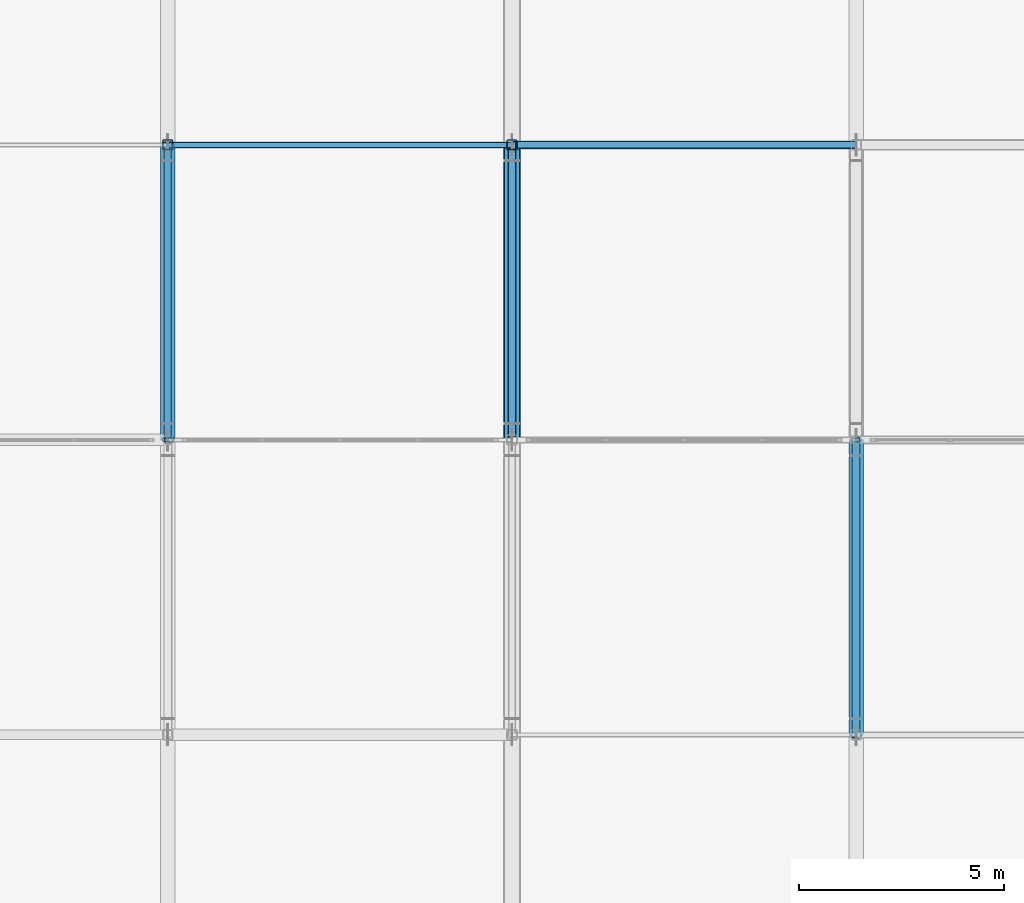
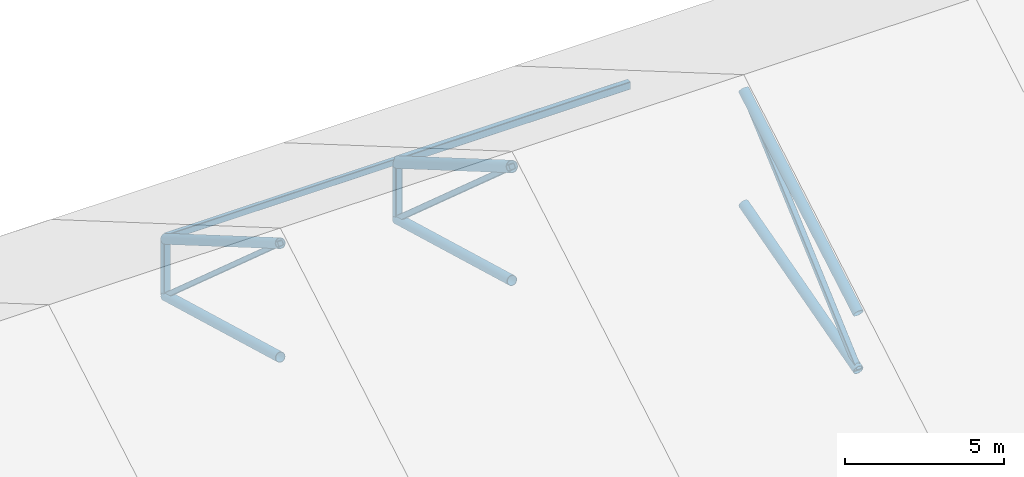
# One storey, part 15 of 54: 13 members.
"""IFC4 building model written with IfcOpenShell, lengths in metres."""

import ifcopenshell
import ifcopenshell.guid

model = None  # the IFC model being written
_history = None  # IfcOwnerHistory: only IFC2X3 demands one
_inside = {}  # id of a spatial element -> (the spatial element, [elements in it])
_under = {}  # id of a project, library or spatial element -> (it, [spatial elements below it])
_declared = {}  # id of a project -> (the project, [libraries it declares])
_typed = {}  # id of a type object -> (the type object, [elements of that type])
_made_of = {}  # id of a material, layer set ... -> (it, [elements and type objects made of it])


def new_model(schema):
    """Start an empty IFC model of exactly this schema.

    Asked for "IFC4X3", IfcOpenShell would pick the latest addendum, in which some entities
    have other attributes; the version numbers below select the first issue.
    IFC2X3 requires an IfcOwnerHistory on every rooted entity: one is made here for all.
    """
    global model, _history
    if schema == "IFC4X3":
        model = ifcopenshell.file(schema_version=(4, 3, 0, 0))
    else:
        model = ifcopenshell.file(schema=schema)
    _inside.clear()
    _under.clear()
    _declared.clear()
    _typed.clear()
    _made_of.clear()
    _history = None
    if model.schema == "IFC2X3":
        org = make("IfcOrganization", Name="unknown")
        user = make(
            "IfcPersonAndOrganization",
            ThePerson=make("IfcPerson", FamilyName="unknown"),
            TheOrganization=org,
        )
        app = make(
            "IfcApplication",
            ApplicationDeveloper=org,
            Version="unknown",
            ApplicationFullName="unknown",
            ApplicationIdentifier="unknown",
        )
        _history = make(
            "IfcOwnerHistory",
            OwningUser=user,
            OwningApplication=app,
            ChangeAction="ADDED",
            CreationDate=0,
        )
    return model


def make(cls, **values):
    """One entity of the class cls with the attributes given. An attribute that is None is left unset."""
    return model.create_entity(
        cls, **{name: value for name, value in values.items() if value is not None}
    )


def rooted(cls, **values):
    """An entity with a GlobalId (a new one), such as an element, a storey or a relation."""
    return make(cls, GlobalId=ifcopenshell.guid.new(), OwnerHistory=_history, **values)


def si_unit(unit_type, name, prefix=None):
    """IfcSIUnit, for example si_unit("LENGTHUNIT", "METRE", prefix="MILLI")."""
    return make("IfcSIUnit", UnitType=unit_type, Prefix=prefix, Name=name)


def assignment(units):
    """IfcUnitAssignment: the units of a project."""
    return None if units is None else make("IfcUnitAssignment", Units=units)


def point(xyz):
    """IfcCartesianPoint."""
    return None if xyz is None else make("IfcCartesianPoint", Coordinates=xyz)


def direction(xyz):
    """IfcDirection."""
    return None if xyz is None else make("IfcDirection", DirectionRatios=xyz)


def frame(location, z_axis=None, x_axis=None):
    """IfcAxis2Placement3D, a coordinate frame: its origin and axes. An axis left out is left unset."""
    return make(
        "IfcAxis2Placement3D",
        Location=point(location),
        Axis=direction(z_axis),
        RefDirection=direction(x_axis),
    )


def frame_2d(location, x_axis=None):
    """IfcAxis2Placement2D, a coordinate frame in the plane: its origin and x axis."""
    return make(
        "IfcAxis2Placement2D", Location=point(location), RefDirection=direction(x_axis)
    )


def origin():
    """The frame at (0, 0, 0) with its axes left unset."""
    return frame((0.0, 0.0, 0.0))


def origin_2d():
    """The frame at (0, 0) in the plane with its x axis left unset."""
    return frame_2d((0.0, 0.0))


def place(relative_to, where):
    """IfcLocalPlacement: puts the frame where relative to a parent placement (None: the world)."""
    return make(
        "IfcLocalPlacement", PlacementRelTo=relative_to, RelativePlacement=where
    )


def context(
    kind, dimensions, precision=None, world=None, true_north=None, identifier=None
):
    """IfcGeometricRepresentationContext, for example the 3D "Model" context."""
    return make(
        "IfcGeometricRepresentationContext",
        ContextIdentifier=identifier,
        ContextType=kind,
        CoordinateSpaceDimension=dimensions,
        Precision=precision,
        WorldCoordinateSystem=world,
        TrueNorth=true_north,
    )


def subcontext(parent, identifier, kind, view, scale=None):
    """IfcGeometricRepresentationSubContext, for example "Body" below "Model"."""
    return make(
        "IfcGeometricRepresentationSubContext",
        ContextIdentifier=identifier,
        ContextType=kind,
        ParentContext=parent,
        TargetScale=scale,
        TargetView=view,
    )


def project(units=None, contexts=None):
    """IfcProject with its units and contexts."""
    return rooted(
        "IfcProject",
        Name="project",
        RepresentationContexts=contexts,
        UnitsInContext=assignment(units),
    )


def spatial(cls, under=None, at=None, **own):
    """A site, building, storey or space (cls), placed at a placement, below another one or the project."""
    s = rooted(cls, ObjectPlacement=at, **own)
    if under is not None:
        _under.setdefault(under.id(), (under, []))[1].append(s)
    return s


def profile(cls, at=None, kind="AREA", **sizes):
    """A parametric profile (cls). Its sizes go by their IFC names, for example OverallWidth=200.0."""
    return make(cls, ProfileType=kind, Position=at, **sizes)


def hollow_rectangle(**sizes):
    """IfcRectangleHollowProfileDef."""
    return profile("IfcRectangleHollowProfileDef", **sizes)


def hollow_circle(**sizes):
    """IfcCircleHollowProfileDef."""
    return profile("IfcCircleHollowProfileDef", **sizes)


def extrude(swept, where, along, depth):
    """IfcExtrudedAreaSolid: the profile swept, set in the frame where, extruded along a direction by depth."""
    return make(
        "IfcExtrudedAreaSolid",
        SweptArea=swept,
        Position=where,
        ExtrudedDirection=direction(along),
        Depth=depth,
    )


def shape(context_of_items, identifier, shape_type, items):
    """IfcShapeRepresentation: the items that make up one representation, for example the "Body"."""
    return make(
        "IfcShapeRepresentation",
        ContextOfItems=context_of_items,
        RepresentationIdentifier=identifier,
        RepresentationType=shape_type,
        Items=items,
    )


def material(Name=None, Category=None):
    """IfcMaterial."""
    return make("IfcMaterial", Name=Name, Category=Category)


def material_profile(
    of_material, cross_section, Name=None, Category=None, Priority=None
):
    """IfcMaterialProfile: a cross section and its material."""
    return make(
        "IfcMaterialProfile",
        Name=Name,
        Material=of_material,
        Profile=cross_section,
        Priority=Priority,
        Category=Category,
    )


def profile_set(profiles, Name=None, composite=None):
    """IfcMaterialProfileSet."""
    return make(
        "IfcMaterialProfileSet",
        Name=Name,
        MaterialProfiles=profiles,
        CompositeProfile=composite,
    )


def made_of(thing, what):
    """Note that an element or type object is made of a material, layer set ...; save() writes the relation."""
    if what is not None:
        _made_of.setdefault(what.id(), (what, []))[1].append(thing)
    return thing


def type_object(cls, material=None, **own):
    """A type object (cls), such as IfcWallType, which elements share."""
    return made_of(rooted(cls, **own), material)


def element(
    cls,
    number,
    at=None,
    inside=None,
    cuts=None,
    type_object=None,
    material=None,
    context=None,
    identifier="Body",
    shape_type=None,
    held_by="IfcProductDefinitionShape",
    body=None,
    shapes=None,
    **own,
):
    """One element of the class cls, such as IfcWall. Its Tag is "e" and its number.

    at: its placement. inside: the storey or other place that contains it. cuts: it is an
    opening in that element (IfcRelVoidsElement). A single representation is given by context,
    identifier, shape_type and body (its items); several are given by shapes. held_by: the class
    of the entity that holds the representations. save() writes the other relations.
    """
    e = rooted(cls, Tag="e%d" % number, ObjectPlacement=at, **own)
    if body is not None:
        shapes = [shape(context, identifier, shape_type, body)]
    if shapes is not None:
        e.Representation = make(held_by, Representations=shapes)
    if inside is not None:
        _inside.setdefault(inside.id(), (inside, []))[1].append(e)
    if cuts is not None:
        rooted(
            "IfcRelVoidsElement", RelatingBuildingElement=cuts, RelatedOpeningElement=e
        )
    if type_object is not None:
        _typed.setdefault(type_object.id(), (type_object, []))[1].append(e)
    return made_of(e, material)


def aggregate(whole, parts):
    """IfcRelAggregates: a whole, such as a stair, and the parts it consists of."""
    return rooted("IfcRelAggregates", RelatingObject=whole, RelatedObjects=parts)


def save(model, path):
    """Write the relations noted so far, then the file.

    IfcRelAggregates (storeys below a building ...), IfcRelContainedInSpatialStructure (elements
    in a storey), IfcRelDefinesByType, IfcRelAssociatesMaterial and IfcRelDeclares: one each for
    every whole, place, type object, material and project.
    """
    for whole, parts in _under.values():
        aggregate(whole, parts)
    for where, things in _inside.values():
        rooted(
            "IfcRelContainedInSpatialStructure",
            RelatedElements=things,
            RelatingStructure=where,
        )
    for kind, things in _typed.values():
        rooted("IfcRelDefinesByType", RelatedObjects=things, RelatingType=kind)
    for what, things in _made_of.values():
        rooted("IfcRelAssociatesMaterial", RelatedObjects=things, RelatingMaterial=what)
    for by, libraries in _declared.values():
        rooted("IfcRelDeclares", RelatingContext=by, RelatedDefinitions=libraries)
    model.write(path)


model = new_model("IFC4")

# Units and contexts
model_context = context("Model", 3, precision=1e-05, world=origin(), true_north=direction((0.0, 1.0)))
body_context = subcontext(model_context, "Body", "Model", "MODEL_VIEW")
ifc_project = project(units=[si_unit("LENGTHUNIT", "METRE"), si_unit("AREAUNIT", "SQUARE_METRE"), si_unit("VOLUMEUNIT", "CUBIC_METRE"), si_unit("PLANEANGLEUNIT", "RADIAN"), si_unit("MASSUNIT", "GRAM", prefix="KILO")], contexts=[model_context])

# Site, building, storey
site_placement = place(None, origin())
site = spatial("IfcSite", under=ifc_project, at=site_placement, CompositionType="ELEMENT")
building_placement = place(site_placement, origin())
building = spatial("IfcBuilding", under=site, at=building_placement, Name="Zulmaris Art Gallery", CompositionType="ELEMENT")
storey_placement = place(building_placement, frame((0.0, 0.0, 26.39990234375)))
storey = spatial("IfcBuildingStorey", under=building, at=storey_placement, Name="L05", CompositionType="ELEMENT", Elevation=26.39990234375)

# Members
ifc_material = material(Name="Steel S355J2H", Category="steel")
ifc_material_profile_1 = material_profile(ifc_material, hollow_rectangle(XDim=0.14990234375, YDim=0.25, WallThickness=0.010009765625, InnerFilletRadius=0.014892578125, OuterFilletRadius=0.02490234375, at=origin_2d()), Name="RHS 250x150x10")
ifc_profile_set_1 = profile_set([ifc_material_profile_1], Name="Steel S355J2H")
member_type_1 = type_object("IfcMemberType", Name="MEM-PR02", PredefinedType="PURLIN", material=ifc_profile_set_1)
member_1_placement = place(storey_placement, frame((40.800048828125, 43.199951171875, 3.695068359375), z_axis=(1.0, 0.0, 0.0), x_axis=(0.0, 1.0, 0.0)))
element("IfcMember", 1, at=member_1_placement, inside=storey, type_object=member_type_1, Name="Skylight roof purlin bay 5 line 4", PredefinedType="PURLIN", context=body_context, shape_type="SweptSolid", body=[
    extrude(hollow_rectangle(XDim=0.14990234375, YDim=0.25, WallThickness=0.010009765625, InnerFilletRadius=0.014892578125, OuterFilletRadius=0.02490234375, at=origin_2d()), origin(), (0.0, 0.0, 1.0), 8.39990234375),
])
ifc_material_profile_2 = material_profile(ifc_material, hollow_rectangle(XDim=0.199951171875, YDim=0.300048828125, WallThickness=0.012451171875, InnerFilletRadius=0.018798828125, OuterFilletRadius=0.03125, at=origin_2d()), Name="RHS 300x200x12.5")
ifc_profile_set_2 = profile_set([ifc_material_profile_2], Name="Steel S355J2H")
member_type_2 = type_object("IfcMemberType", Name="MEM-PR03", PredefinedType="PURLIN", material=ifc_profile_set_2)
member_2_placement = place(storey_placement, frame((49.199951171875, 43.199951171875, 3.670166015625), z_axis=(1.0, 0.0, 0.0), x_axis=(0.0, 1.0, 0.0)))
element("IfcMember", 2, at=member_2_placement, inside=storey, type_object=member_type_2, Name="Skylight roof purlin bay 6 line 4", PredefinedType="PURLIN", context=body_context, shape_type="SweptSolid", body=[
    extrude(hollow_rectangle(XDim=0.199951171875, YDim=0.300048828125, WallThickness=0.012451171875, InnerFilletRadius=0.018798828125, OuterFilletRadius=0.03125, at=origin_2d()), origin(), (0.0, 0.0, 1.0), 8.400146484375),
])
ifc_material_profile_3 = material_profile(ifc_material, hollow_rectangle(XDim=0.179931640625, YDim=0.179931640625, WallThickness=0.010009765625, InnerFilletRadius=0.014892578125, OuterFilletRadius=0.02490234375, at=origin_2d()), Name="SHS 180x180x10")
ifc_profile_set_3 = profile_set([ifc_material_profile_3], Name="Steel S355J2H")
member_type_3 = type_object("IfcMemberType", Name="MEM-TB05", PredefinedType="BRACE", material=ifc_profile_set_3)
member_3_placement = place(storey_placement, frame((40.800048828125, 36.0, 7.820068359375), z_axis=(0.0, 0.748961175261, -0.662613883006), x_axis=(-1.0, 0.0, 0.0)))
element("IfcMember", 3, at=member_3_placement, inside=storey, type_object=member_type_3, Name="Pitched gallery truss TR-R05 diagonal 3", PredefinedType="BRACE", context=body_context, shape_type="SweptSolid", body=[
    extrude(hollow_rectangle(XDim=0.179931640625, YDim=0.179931640625, WallThickness=0.010009765625, InnerFilletRadius=0.014892578125, OuterFilletRadius=0.02490234375, at=origin_2d()), origin(), (0.0, 0.0, 1.0), 9.61328125),
])
ifc_material_profile_4 = material_profile(ifc_material, hollow_rectangle(XDim=0.199951171875, YDim=0.199951171875, WallThickness=0.010009765625, InnerFilletRadius=0.014892578125, OuterFilletRadius=0.02490234375, at=origin_2d()), Name="SHS 200x200x10")
ifc_profile_set_4 = profile_set([ifc_material_profile_4], Name="Steel S355J2H")
member_type_4 = type_object("IfcMemberType", Name="MEM-TB06", PredefinedType="BRACE", material=ifc_profile_set_4)
for number, where, z_axis, x_axis, name in (
    (4, (49.199951171875, 36.0, 7.820068359375), (0.0, 0.748961175261, -0.662613883006), (-1.0, 0.0, 0.0), "Pitched gallery truss TR-R06 diagonal 3"),
    (5, (57.60009765625, 28.800048828125, 1.4501953125), (0.0, 0.748961175261, 0.662613883006), (-1.0, 0.0, 0.0), "Pitched gallery truss TR-R07 diagonal 2"),
):
    element("IfcMember", number, at=place(storey_placement, frame(where, z_axis=z_axis, x_axis=x_axis)), inside=storey, type_object=member_type_4, Name=name, PredefinedType="BRACE", context=body_context, shape_type="SweptSolid", body=[
        extrude(hollow_rectangle(XDim=0.199951171875, YDim=0.199951171875, WallThickness=0.010009765625, InnerFilletRadius=0.014892578125, OuterFilletRadius=0.02490234375, at=origin_2d()), origin(), (0.0, 0.0, 1.0), 9.61328125),
    ])
ifc_material_profile_5 = material_profile(ifc_material, hollow_circle(Radius=0.177734375, WallThickness=0.01611328125, at=origin_2d()), Name="CHS 355.6x16")
ifc_profile_set_5 = profile_set([ifc_material_profile_5], Name="Steel S355J2H")
member_type_5 = type_object("IfcMemberType", Name="MEM-TC01", PredefinedType="CHORD", material=ifc_profile_set_5)
member_4_placement = place(storey_placement, frame((40.800048828125, 36.0, 7.820068359375), z_axis=(0.0, 0.863779963214, -0.503869204407), x_axis=(-1.0, 0.0, 0.0)))
element("IfcMember", 6, at=member_4_placement, inside=storey, type_object=member_type_5, Name="Pitched gallery truss TR-R05 top chord 3", PredefinedType="CHORD", context=body_context, shape_type="SweptSolid", body=[
    extrude(hollow_circle(Radius=0.177734375, WallThickness=0.01611328125, at=origin_2d()), origin(), (0.0, 0.0, 1.0), 8.33544921875),
])
for number, where, z_axis, x_axis, name in (
    (7, (40.800048828125, 36.0, 3.4501953125), (0.0, 0.963517441554, -0.267645548853), (-1.0, 0.0, 0.0), "Pitched gallery truss TR-R05 bottom chord 3"),
    (8, (49.199951171875, 36.0, 3.4501953125), (0.0, 0.963517441554, -0.267645548853), (-1.0, 0.0, 0.0), "Pitched gallery truss TR-R06 bottom chord 3"),
):
    element("IfcMember", number, at=place(storey_placement, frame(where, z_axis=z_axis, x_axis=x_axis)), inside=storey, type_object=member_type_5, Name=name, PredefinedType="CHORD", context=body_context, shape_type="SweptSolid", body=[
        extrude(hollow_circle(Radius=0.177734375, WallThickness=0.01611328125, at=origin_2d()), origin(), (0.0, 0.0, 1.0), 7.47265625),
    ])
member_5_placement = place(storey_placement, frame((57.60009765625, 28.800048828125, 3.6201171875), z_axis=(0.0, 0.863779963214, 0.503869204407), x_axis=(-1.0, 0.0, 0.0)))
element("IfcMember", 9, at=member_5_placement, inside=storey, type_object=member_type_5, Name="Pitched gallery truss TR-R07 top chord 2", PredefinedType="CHORD", context=body_context, shape_type="SweptSolid", body=[
    extrude(hollow_circle(Radius=0.177734375, WallThickness=0.01611328125, at=origin_2d()), origin(), (0.0, 0.0, 1.0), 8.33544921875),
])
member_6_placement = place(storey_placement, frame((57.60009765625, 28.800048828125, 1.4501953125), z_axis=(0.0, 0.963517441554, 0.267645548853), x_axis=(-1.0, 0.0, 0.0)))
element("IfcMember", 10, at=member_6_placement, inside=storey, type_object=member_type_5, Name="Pitched gallery truss TR-R07 bottom chord 2", PredefinedType="CHORD", context=body_context, shape_type="SweptSolid", body=[
    extrude(hollow_circle(Radius=0.177734375, WallThickness=0.01611328125, at=origin_2d()), origin(), (0.0, 0.0, 1.0), 7.47265625),
])
ifc_material_profile_6 = material_profile(ifc_material, hollow_circle(Radius=0.203125, WallThickness=0.01611328125, at=origin_2d()), Name="CHS 406.4x16")
ifc_profile_set_6 = profile_set([ifc_material_profile_6], Name="Steel S355J2H")
member_type_6 = type_object("IfcMemberType", Name="MEM-TC02", PredefinedType="CHORD", material=ifc_profile_set_6)
member_7_placement = place(storey_placement, frame((49.199951171875, 36.0, 7.820068359375), z_axis=(0.0, 0.863779963214, -0.503869204407), x_axis=(-1.0, 0.0, 0.0)))
element("IfcMember", 11, at=member_7_placement, inside=storey, type_object=member_type_6, Name="Pitched gallery truss TR-R06 top chord 3", PredefinedType="CHORD", context=body_context, shape_type="SweptSolid", body=[
    extrude(hollow_circle(Radius=0.203125, WallThickness=0.01611328125, at=origin_2d()), origin(), (0.0, 0.0, 1.0), 8.33544921875),
])
ifc_material_profile_7 = material_profile(ifc_material, hollow_rectangle(XDim=0.25, YDim=0.25, WallThickness=0.012451171875, InnerFilletRadius=0.018798828125, OuterFilletRadius=0.03125, at=origin_2d()), Name="SHS 250x250x12.5")
ifc_profile_set_7 = profile_set([ifc_material_profile_7], Name="Steel S355J2H")
member_type_7 = type_object("IfcMemberType", Name="MEM-TP05", PredefinedType="POST", material=ifc_profile_set_7)
for number, where, z_axis, x_axis, name in (
    (12, (40.800048828125, 43.199951171875, 1.4501953125), (0.0, 0.0, 1.0), (1.0, 0.0, 0.0), "Pitched gallery truss TR-R05 web post 4"),
    (13, (49.199951171875, 43.199951171875, 1.4501953125), (0.0, 0.0, 1.0), (1.0, 0.0, 0.0), "Pitched gallery truss TR-R06 web post 4"),
):
    element("IfcMember", number, at=place(storey_placement, frame(where, z_axis=z_axis, x_axis=x_axis)), inside=storey, type_object=member_type_7, Name=name, PredefinedType="POST", context=body_context, shape_type="SweptSolid", body=[
        extrude(hollow_rectangle(XDim=0.25, YDim=0.25, WallThickness=0.012451171875, InnerFilletRadius=0.018798828125, OuterFilletRadius=0.03125, at=origin_2d()), origin(), (0.0, 0.0, 1.0), 2.169921875),
    ])

save(model, "model.ifc")
